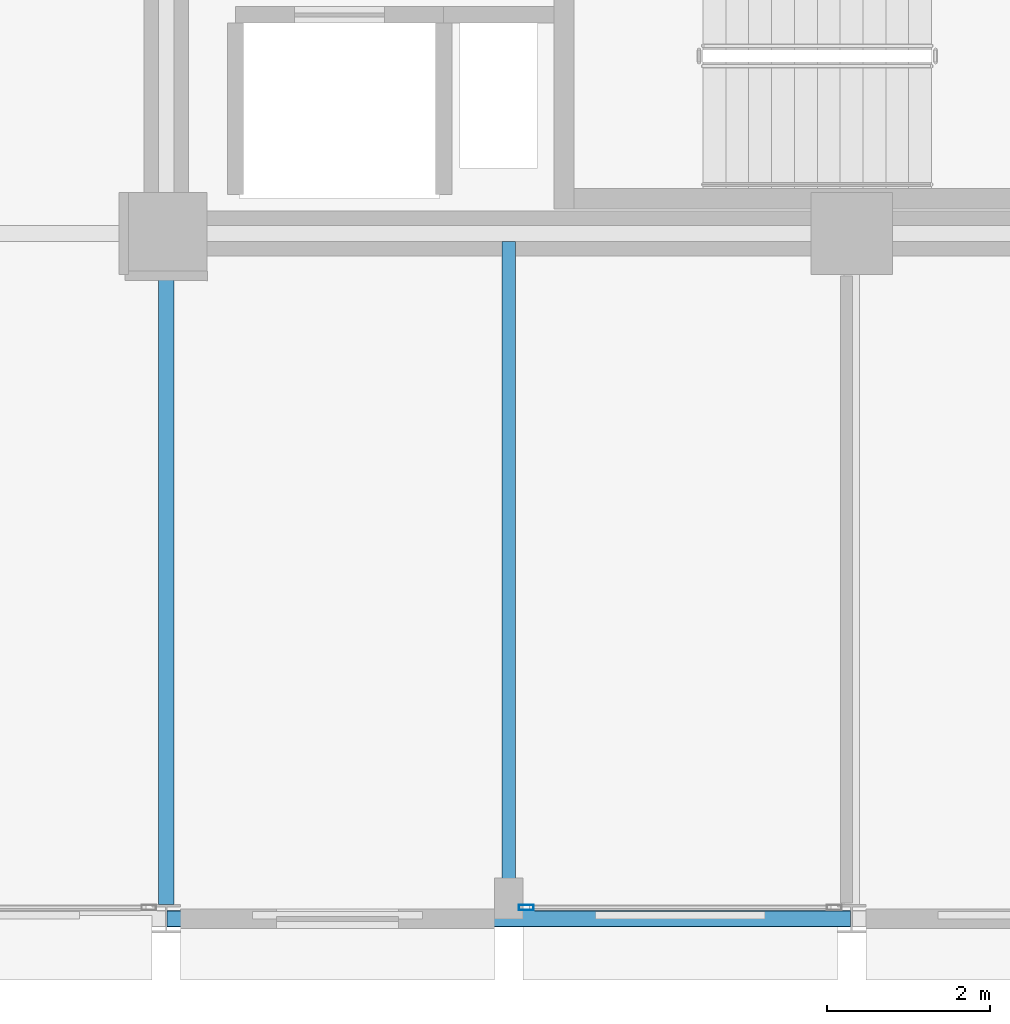
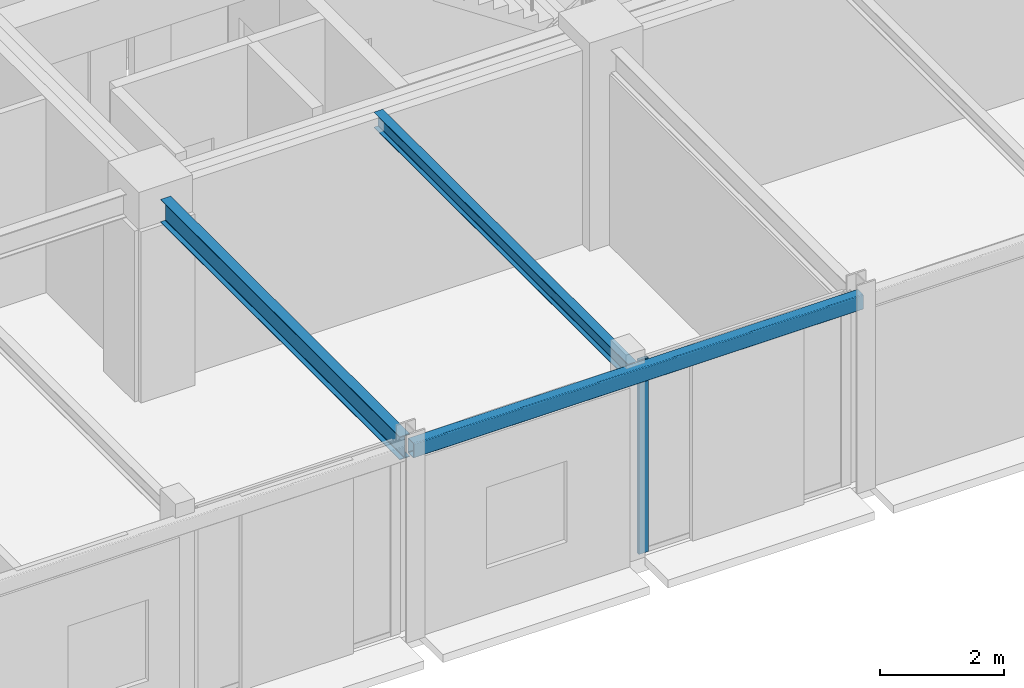
# One storey, part 7 of 29: 3 beams, 1 member, 1 element without a shape of its own.
"""IFC4 building model written with IfcOpenShell, lengths in metres."""

from ifc_helpers import new_model, si_unit, direction, frame, origin, origin_2d, place, context, subcontext, project, spatial, hollow_rectangle, i_section, extrude, material, layer, layer_set, material_profile, profile_set, type_object, element, aggregate, save


model = new_model("IFC4")

# Units and contexts
model_context = context("Model", 3, precision=1e-05, world=origin(), true_north=direction((0.0, 1.0)))
body_context = subcontext(model_context, "Body", "Model", "MODEL_VIEW")
ifc_project = project(units=[si_unit("LENGTHUNIT", "METRE"), si_unit("AREAUNIT", "SQUARE_METRE"), si_unit("VOLUMEUNIT", "CUBIC_METRE"), si_unit("PLANEANGLEUNIT", "RADIAN"), si_unit("MASSUNIT", "GRAM", prefix="KILO")], contexts=[model_context])

# Site, building, storey
site_placement = place(None, origin())
site = spatial("IfcSite", under=ifc_project, at=site_placement, CompositionType="ELEMENT")
building_placement = place(site_placement, origin())
building = spatial("IfcBuilding", under=site, at=building_placement, Name="Nerrivon Quay Data Exchange", CompositionType="ELEMENT")
storey_placement = place(building_placement, frame((0.0, 0.0, 191.89990234375)))
storey = spatial("IfcBuildingStorey", under=building, at=storey_placement, Name="L45", CompositionType="ELEMENT", Elevation=191.89990234375)

# Beams
ifc_material_1 = material(Name="Steel Grade 350", Category="steel")
ifc_material_profile_1 = material_profile(ifc_material_1, i_section(OverallWidth=0.18994140625, OverallDepth=0.4541015625, WebThickness=0.008544921875, FlangeThickness=0.0126953125, FilletRadius=0.011474609375, at=origin_2d()), Name="460UB67.1")
ifc_profile_set_1 = profile_set([ifc_material_profile_1], Name="Steel Grade 350")
beam_type_1 = type_object("IfcBeamType", Name="BM-G6-460UB67", PredefinedType="BEAM", material=ifc_profile_set_1)
beam_1_placement = place(storey_placement, frame((16.800048828125, 0.175048828125, 3.59814453125), z_axis=(0.0, 1.0, 0.0), x_axis=(-1.0, 0.0, 0.0)))
element("IfcBeam", 1, at=beam_1_placement, inside=storey, type_object=beam_type_1, Name="L45 NS Girder X=16.8 (0.0..8.4)", PredefinedType="BEAM", context=body_context, shape_type="SweptSolid", body=[
    extrude(i_section(OverallWidth=0.18994140625, OverallDepth=0.4541015625, WebThickness=0.008544921875, FlangeThickness=0.0126953125, FilletRadius=0.011474609375, at=origin_2d()), origin(), (0.0, 0.0, 1.0), 7.724853515625),
])
ifc_material_profile_2 = material_profile(ifc_material_1, i_section(OverallWidth=0.166015625, OverallDepth=0.306884765625, WebThickness=0.006591796875, FlangeThickness=0.01171875, FilletRadius=0.011474609375, at=origin_2d()), Name="310UB46.2")
ifc_profile_set_2 = profile_set([ifc_material_profile_2], Name="Steel Grade 350")
beam_type_2 = type_object("IfcBeamType", Name="BM-J5-310UB46", PredefinedType="JOIST", material=ifc_profile_set_2)
beam_2_placement = place(storey_placement, frame((21.0, 0.10009765625, 3.671630859375), z_axis=(0.0, 1.0, 0.0), x_axis=(-1.0, 0.0, 0.0)))
element("IfcBeam", 2, at=beam_2_placement, inside=storey, type_object=beam_type_2, Name="L45 Secondary Joist X=21.0 (0.0..8.4)", PredefinedType="JOIST", context=body_context, shape_type="SweptSolid", body=[
    extrude(i_section(OverallWidth=0.166015625, OverallDepth=0.306884765625, WebThickness=0.006591796875, FlangeThickness=0.01171875, FilletRadius=0.011474609375, at=origin_2d()), origin(), (0.0, 0.0, 1.0), 8.204345703125),
])
ifc_material_2 = material(Name="Steel Grade C350L0 (350 MPa)", Category="steel")
ifc_material_profile_3 = material_profile(ifc_material_2, hollow_rectangle(XDim=0.199951171875, YDim=0.300048828125, WallThickness=0.012451171875, InnerFilletRadius=0.018798828125, OuterFilletRadius=0.03125, at=origin_2d()), Name="300x200x12.5RHS")
ifc_profile_set_3 = profile_set([ifc_material_profile_3], Name="Steel Grade C350L0 (350 MPa)")
beam_type_3 = type_object("IfcBeamType", Name="BM-SP3-300x200RHS", PredefinedType="SPANDREL", material=ifc_profile_set_3)
beam_3_placement = place(storey_placement, frame((16.81005859375, 0.0, 3.675048828125), z_axis=(1.0, 0.0, 0.0), x_axis=(0.0, 1.0, 0.0)))
element("IfcBeam", 3, at=beam_3_placement, inside=storey, type_object=beam_type_3, Name="L45 EW Girder Y=0.0 (16.8..25.2)", PredefinedType="SPANDREL", context=body_context, shape_type="SweptSolid", body=[
    extrude(hollow_rectangle(XDim=0.199951171875, YDim=0.300048828125, WallThickness=0.012451171875, InnerFilletRadius=0.018798828125, OuterFilletRadius=0.03125, at=origin_2d()), origin(), (0.0, 0.0, 1.0), 8.3798828125),
])

# Curtain wall, member
ifc_material_3 = material(Name="Anodised aluminium 6063-T6", Category="aluminium")
ifc_layer = layer(ifc_material_3, 0.195068359375)
ifc_layer_set = layer_set([ifc_layer], Name="Anodised aluminium 6063-T6")
curtain_wall_type = type_object("IfcCurtainWallType", Name="CW-SYS-06", PredefinedType="NOTDEFINED", material=ifc_layer_set)
curtain_wall_placement = place(storey_placement, origin())
curtain_wall = element("IfcCurtainWall", 4, at=curtain_wall_placement, inside=storey, type_object=curtain_wall_type, Name="L45 Unitised Curtain Wall 24", PredefinedType="NOTDEFINED")
ifc_material_profile_4 = material_profile(ifc_material_3, hollow_rectangle(XDim=0.06494140625, YDim=0.179931640625, WallThickness=0.00341796875, at=origin_2d()), Name="ALU-MULL-180x65")
ifc_profile_set_4 = profile_set([ifc_material_profile_4], Name="Anodised aluminium 6063-T6")
member_type = type_object("IfcMemberType", Name="CWM-180x65", PredefinedType="MULLION", material=ifc_profile_set_4)
member_placement = place(storey_placement, frame((21.21240234375, 0.139892578125, 0.0), z_axis=(0.0, 0.0, 1.0), x_axis=(0.0, -1.0, 0.0)))
member = element("IfcMember", 5, at=member_placement, type_object=member_type, Name="CW06 mullion 2", PredefinedType="MULLION", context=body_context, shape_type="SweptSolid", body=[
    extrude(hollow_rectangle(XDim=0.06494140625, YDim=0.179931640625, WallThickness=0.00341796875, at=origin_2d()), origin(), (0.0, 0.0, 1.0), 3.8251953125),
])
aggregate(curtain_wall, [member])

save(model, "model.ifc")
